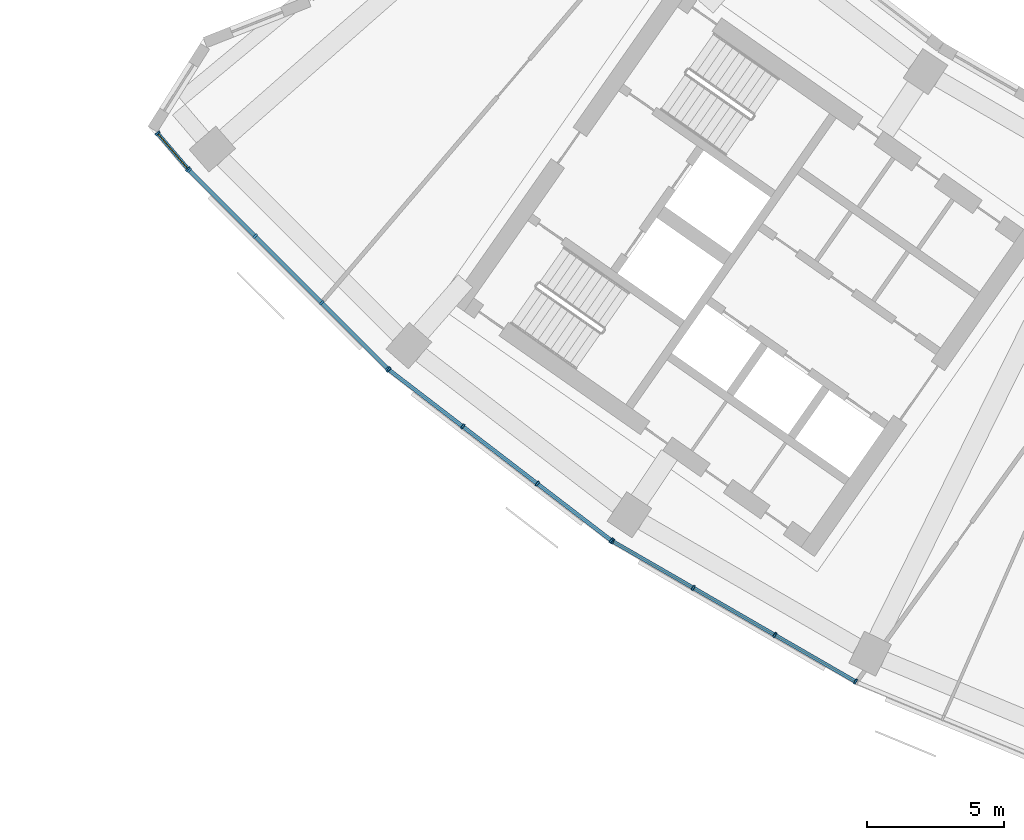
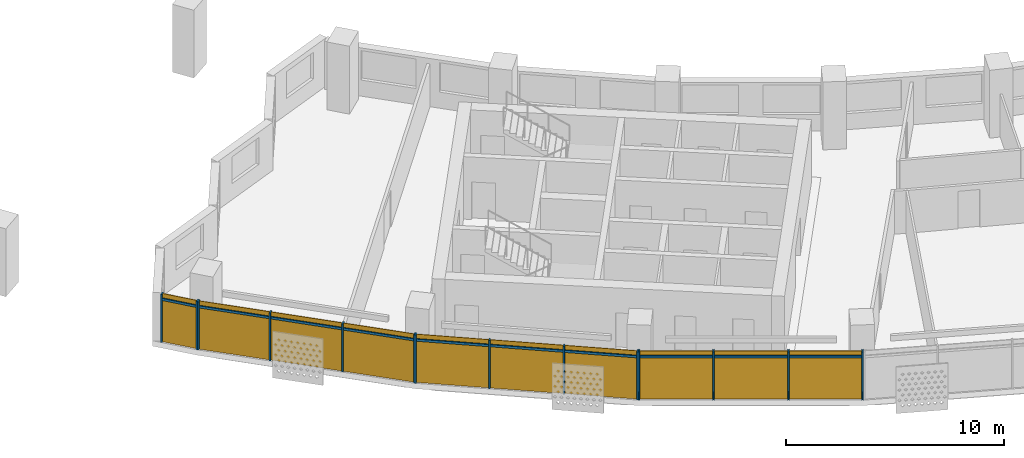
# One storey, part 17 of 26: 24 members, 4 curtain walls.
"""IFC4 building model written with IfcOpenShell, lengths in metres."""

import ifcopenshell
import ifcopenshell.guid

model = None  # the IFC model being written
_history = None  # IfcOwnerHistory: only IFC2X3 demands one
_inside = {}  # id of a spatial element -> (the spatial element, [elements in it])
_under = {}  # id of a project, library or spatial element -> (it, [spatial elements below it])
_declared = {}  # id of a project -> (the project, [libraries it declares])
_typed = {}  # id of a type object -> (the type object, [elements of that type])
_made_of = {}  # id of a material, layer set ... -> (it, [elements and type objects made of it])


def new_model(schema):
    """Start an empty IFC model of exactly this schema.

    Asked for "IFC4X3", IfcOpenShell would pick the latest addendum, in which some entities
    have other attributes; the version numbers below select the first issue.
    IFC2X3 requires an IfcOwnerHistory on every rooted entity: one is made here for all.
    """
    global model, _history
    if schema == "IFC4X3":
        model = ifcopenshell.file(schema_version=(4, 3, 0, 0))
    else:
        model = ifcopenshell.file(schema=schema)
    _inside.clear()
    _under.clear()
    _declared.clear()
    _typed.clear()
    _made_of.clear()
    _history = None
    if model.schema == "IFC2X3":
        org = make("IfcOrganization", Name="unknown")
        user = make(
            "IfcPersonAndOrganization",
            ThePerson=make("IfcPerson", FamilyName="unknown"),
            TheOrganization=org,
        )
        app = make(
            "IfcApplication",
            ApplicationDeveloper=org,
            Version="unknown",
            ApplicationFullName="unknown",
            ApplicationIdentifier="unknown",
        )
        _history = make(
            "IfcOwnerHistory",
            OwningUser=user,
            OwningApplication=app,
            ChangeAction="ADDED",
            CreationDate=0,
        )
    return model


def make(cls, **values):
    """One entity of the class cls with the attributes given. An attribute that is None is left unset."""
    return model.create_entity(
        cls, **{name: value for name, value in values.items() if value is not None}
    )


def rooted(cls, **values):
    """An entity with a GlobalId (a new one), such as an element, a storey or a relation."""
    return make(cls, GlobalId=ifcopenshell.guid.new(), OwnerHistory=_history, **values)


def si_unit(unit_type, name, prefix=None):
    """IfcSIUnit, for example si_unit("LENGTHUNIT", "METRE", prefix="MILLI")."""
    return make("IfcSIUnit", UnitType=unit_type, Prefix=prefix, Name=name)


def assignment(units):
    """IfcUnitAssignment: the units of a project."""
    return None if units is None else make("IfcUnitAssignment", Units=units)


def point(xyz):
    """IfcCartesianPoint."""
    return None if xyz is None else make("IfcCartesianPoint", Coordinates=xyz)


def direction(xyz):
    """IfcDirection."""
    return None if xyz is None else make("IfcDirection", DirectionRatios=xyz)


def frame(location, z_axis=None, x_axis=None):
    """IfcAxis2Placement3D, a coordinate frame: its origin and axes. An axis left out is left unset."""
    return make(
        "IfcAxis2Placement3D",
        Location=point(location),
        Axis=direction(z_axis),
        RefDirection=direction(x_axis),
    )


def frame_2d(location, x_axis=None):
    """IfcAxis2Placement2D, a coordinate frame in the plane: its origin and x axis."""
    return make(
        "IfcAxis2Placement2D", Location=point(location), RefDirection=direction(x_axis)
    )


def origin():
    """The frame at (0, 0, 0) with its axes left unset."""
    return frame((0.0, 0.0, 0.0))


def origin_2d():
    """The frame at (0, 0) in the plane with its x axis left unset."""
    return frame_2d((0.0, 0.0))


def place(relative_to, where):
    """IfcLocalPlacement: puts the frame where relative to a parent placement (None: the world)."""
    return make(
        "IfcLocalPlacement", PlacementRelTo=relative_to, RelativePlacement=where
    )


def context(
    kind, dimensions, precision=None, world=None, true_north=None, identifier=None
):
    """IfcGeometricRepresentationContext, for example the 3D "Model" context."""
    return make(
        "IfcGeometricRepresentationContext",
        ContextIdentifier=identifier,
        ContextType=kind,
        CoordinateSpaceDimension=dimensions,
        Precision=precision,
        WorldCoordinateSystem=world,
        TrueNorth=true_north,
    )


def subcontext(parent, identifier, kind, view, scale=None):
    """IfcGeometricRepresentationSubContext, for example "Body" below "Model"."""
    return make(
        "IfcGeometricRepresentationSubContext",
        ContextIdentifier=identifier,
        ContextType=kind,
        ParentContext=parent,
        TargetScale=scale,
        TargetView=view,
    )


def project(units=None, contexts=None):
    """IfcProject with its units and contexts."""
    return rooted(
        "IfcProject",
        Name="project",
        RepresentationContexts=contexts,
        UnitsInContext=assignment(units),
    )


def spatial(cls, under=None, at=None, **own):
    """A site, building, storey or space (cls), placed at a placement, below another one or the project."""
    s = rooted(cls, ObjectPlacement=at, **own)
    if under is not None:
        _under.setdefault(under.id(), (under, []))[1].append(s)
    return s


def profile(cls, at=None, kind="AREA", **sizes):
    """A parametric profile (cls). Its sizes go by their IFC names, for example OverallWidth=200.0."""
    return make(cls, ProfileType=kind, Position=at, **sizes)


def rectangle(**sizes):
    """IfcRectangleProfileDef."""
    return profile("IfcRectangleProfileDef", **sizes)


def extrude(swept, where, along, depth):
    """IfcExtrudedAreaSolid: the profile swept, set in the frame where, extruded along a direction by depth."""
    return make(
        "IfcExtrudedAreaSolid",
        SweptArea=swept,
        Position=where,
        ExtrudedDirection=direction(along),
        Depth=depth,
    )


def shape(context_of_items, identifier, shape_type, items):
    """IfcShapeRepresentation: the items that make up one representation, for example the "Body"."""
    return make(
        "IfcShapeRepresentation",
        ContextOfItems=context_of_items,
        RepresentationIdentifier=identifier,
        RepresentationType=shape_type,
        Items=items,
    )


def material(Name=None, Category=None):
    """IfcMaterial."""
    return make("IfcMaterial", Name=Name, Category=Category)


def material_profile(
    of_material, cross_section, Name=None, Category=None, Priority=None
):
    """IfcMaterialProfile: a cross section and its material."""
    return make(
        "IfcMaterialProfile",
        Name=Name,
        Material=of_material,
        Profile=cross_section,
        Priority=Priority,
        Category=Category,
    )


def profile_set(profiles, Name=None, composite=None):
    """IfcMaterialProfileSet."""
    return make(
        "IfcMaterialProfileSet",
        Name=Name,
        MaterialProfiles=profiles,
        CompositeProfile=composite,
    )


def made_of(thing, what):
    """Note that an element or type object is made of a material, layer set ...; save() writes the relation."""
    if what is not None:
        _made_of.setdefault(what.id(), (what, []))[1].append(thing)
    return thing


def type_object(cls, material=None, **own):
    """A type object (cls), such as IfcWallType, which elements share."""
    return made_of(rooted(cls, **own), material)


def element(
    cls,
    number,
    at=None,
    inside=None,
    cuts=None,
    type_object=None,
    material=None,
    context=None,
    identifier="Body",
    shape_type=None,
    held_by="IfcProductDefinitionShape",
    body=None,
    shapes=None,
    **own,
):
    """One element of the class cls, such as IfcWall. Its Tag is "e" and its number.

    at: its placement. inside: the storey or other place that contains it. cuts: it is an
    opening in that element (IfcRelVoidsElement). A single representation is given by context,
    identifier, shape_type and body (its items); several are given by shapes. held_by: the class
    of the entity that holds the representations. save() writes the other relations.
    """
    e = rooted(cls, Tag="e%d" % number, ObjectPlacement=at, **own)
    if body is not None:
        shapes = [shape(context, identifier, shape_type, body)]
    if shapes is not None:
        e.Representation = make(held_by, Representations=shapes)
    if inside is not None:
        _inside.setdefault(inside.id(), (inside, []))[1].append(e)
    if cuts is not None:
        rooted(
            "IfcRelVoidsElement", RelatingBuildingElement=cuts, RelatedOpeningElement=e
        )
    if type_object is not None:
        _typed.setdefault(type_object.id(), (type_object, []))[1].append(e)
    return made_of(e, material)


def aggregate(whole, parts):
    """IfcRelAggregates: a whole, such as a stair, and the parts it consists of."""
    return rooted("IfcRelAggregates", RelatingObject=whole, RelatedObjects=parts)


def save(model, path):
    """Write the relations noted so far, then the file.

    IfcRelAggregates (storeys below a building ...), IfcRelContainedInSpatialStructure (elements
    in a storey), IfcRelDefinesByType, IfcRelAssociatesMaterial and IfcRelDeclares: one each for
    every whole, place, type object, material and project.
    """
    for whole, parts in _under.values():
        aggregate(whole, parts)
    for where, things in _inside.values():
        rooted(
            "IfcRelContainedInSpatialStructure",
            RelatedElements=things,
            RelatingStructure=where,
        )
    for kind, things in _typed.values():
        rooted("IfcRelDefinesByType", RelatedObjects=things, RelatingType=kind)
    for what, things in _made_of.values():
        rooted("IfcRelAssociatesMaterial", RelatedObjects=things, RelatingMaterial=what)
    for by, libraries in _declared.values():
        rooted("IfcRelDeclares", RelatingContext=by, RelatedDefinitions=libraries)
    model.write(path)


model = new_model("IFC4")

# Units and contexts
model_context = context("Model", 3, precision=1e-05, world=origin(), true_north=direction((0.0, 1.0)))
body_context = subcontext(model_context, "Body", "Model", "MODEL_VIEW")
ifc_project = project(units=[si_unit("LENGTHUNIT", "METRE"), si_unit("AREAUNIT", "SQUARE_METRE"), si_unit("VOLUMEUNIT", "CUBIC_METRE"), si_unit("PLANEANGLEUNIT", "RADIAN"), si_unit("MASSUNIT", "GRAM", prefix="KILO")], contexts=[model_context])

# Member
ifc_material = material(Name="Aluminium 6063-T6 anodised", Category="aluminium")
ifc_material_profile_1 = material_profile(ifc_material, rectangle(XDim=0.199951171875, YDim=0.070068359375, at=origin_2d()))
ifc_profile_set_1 = profile_set([ifc_material_profile_1], Name="Aluminium 6063-T6 anodised")
member_type_1 = type_object("IfcMemberType", Name="Mullion 70 x 200 aluminium", PredefinedType="MULLION", material=ifc_profile_set_1)
site_placement = place(None, origin())
building_placement = place(site_placement, origin())
storey_placement = place(building_placement, frame((0.0, 0.0, 160.699951171875)))
member_1_placement = place(storey_placement, frame((-60.459716796875, -50.686279296875, 0.0), z_axis=(0.0, 0.0, 1.0), x_axis=(0.760854442079, 0.648922582416, 0.0)))
member_1 = element("IfcMember", 1, at=member_1_placement, type_object=member_type_1, Name="e-cw1-L37-out00/M00", PredefinedType="MULLION", context=body_context, shape_type="SweptSolid", body=[
    extrude(rectangle(XDim=0.199951171875, YDim=0.070068359375, at=origin_2d()), origin(), (0.0, 0.0, 1.0), 2.699951171875),
])

member_2_placement = place(storey_placement, frame((-59.342041015625, -51.996826171875, 0.0), z_axis=(0.0, 0.0, 1.0), x_axis=(0.760854442079, 0.648922582416, 0.0)))
member_2 = element("IfcMember", 2, at=member_2_placement, type_object=member_type_1, Name="e-cw1-L37-out00/M01", PredefinedType="MULLION", context=body_context, shape_type="SweptSolid", body=[
    extrude(rectangle(XDim=0.199951171875, YDim=0.070068359375, at=origin_2d()), origin(), (0.0, 0.0, 1.0), 2.699951171875),
])

member_3_placement = place(storey_placement, frame((-59.2998046875, -52.042236328125, 0.0), z_axis=(0.0, 0.0, 1.0), x_axis=(0.707106781187, 0.707106781187, 0.0)))
member_3 = element("IfcMember", 3, at=member_3_placement, type_object=member_type_1, Name="e-cw1-L37-out01/M00", PredefinedType="MULLION", context=body_context, shape_type="SweptSolid", body=[
    extrude(rectangle(XDim=0.199951171875, YDim=0.070068359375, at=origin_2d()), origin(), (0.0, 0.0, 1.0), 2.699951171875),
])

member_4_placement = place(storey_placement, frame((-56.888916015625, -54.453369140625, 0.0), z_axis=(0.0, 0.0, 1.0), x_axis=(0.707106781187, 0.707106781187, 0.0)))
member_4 = element("IfcMember", 4, at=member_4_placement, type_object=member_type_1, Name="e-cw1-L37-out01/M01", PredefinedType="MULLION", context=body_context, shape_type="SweptSolid", body=[
    extrude(rectangle(XDim=0.199951171875, YDim=0.070068359375, at=origin_2d()), origin(), (0.0, 0.0, 1.0), 2.699951171875),
])

member_5_placement = place(storey_placement, frame((-54.453369140625, -56.888916015625, 0.0), z_axis=(0.0, 0.0, 1.0), x_axis=(0.707106781187, 0.707106781187, 0.0)))
member_5 = element("IfcMember", 5, at=member_5_placement, type_object=member_type_1, Name="e-cw1-L37-out01/M02", PredefinedType="MULLION", context=body_context, shape_type="SweptSolid", body=[
    extrude(rectangle(XDim=0.199951171875, YDim=0.070068359375, at=origin_2d()), origin(), (0.0, 0.0, 1.0), 2.699951171875),
])

member_6_placement = place(storey_placement, frame((-52.042236328125, -59.2998046875, 0.0), z_axis=(0.0, 0.0, 1.0), x_axis=(0.707106781187, 0.707106781187, 0.0)))
member_6 = element("IfcMember", 6, at=member_6_placement, type_object=member_type_1, Name="e-cw1-L37-out01/M03", PredefinedType="MULLION", context=body_context, shape_type="SweptSolid", body=[
    extrude(rectangle(XDim=0.199951171875, YDim=0.070068359375, at=origin_2d()), origin(), (0.0, 0.0, 1.0), 2.699951171875),
])

member_7_placement = place(storey_placement, frame((-51.999755859375, -59.33740234375, 0.0), z_axis=(0.0, 0.0, 1.0), x_axis=(0.608761429009, 0.793353340291, 0.0)))
member_7 = element("IfcMember", 7, at=member_7_placement, type_object=member_type_1, Name="e-cw1-L37-out02/M00", PredefinedType="MULLION", context=body_context, shape_type="SweptSolid", body=[
    extrude(rectangle(XDim=0.199951171875, YDim=0.070068359375, at=origin_2d()), origin(), (0.0, 0.0, 1.0), 2.699951171875),
])

member_8_placement = place(storey_placement, frame((-49.294677734375, -61.412841796875, 0.0), z_axis=(0.0, 0.0, 1.0), x_axis=(0.608761429009, 0.793353340291, 0.0)))
member_8 = element("IfcMember", 8, at=member_8_placement, type_object=member_type_1, Name="e-cw1-L37-out02/M01", PredefinedType="MULLION", context=body_context, shape_type="SweptSolid", body=[
    extrude(rectangle(XDim=0.199951171875, YDim=0.070068359375, at=origin_2d()), origin(), (0.0, 0.0, 1.0), 2.699951171875),
])

member_9_placement = place(storey_placement, frame((-46.56201171875, -63.509765625, 0.0), z_axis=(0.0, 0.0, 1.0), x_axis=(0.608761429009, 0.793353340291, 0.0)))
member_9 = element("IfcMember", 9, at=member_9_placement, type_object=member_type_1, Name="e-cw1-L37-out02/M02", PredefinedType="MULLION", context=body_context, shape_type="SweptSolid", body=[
    extrude(rectangle(XDim=0.199951171875, YDim=0.070068359375, at=origin_2d()), origin(), (0.0, 0.0, 1.0), 2.699951171875),
])

member_10_placement = place(storey_placement, frame((-43.85693359375, -65.58544921875, 0.0), z_axis=(0.0, 0.0, 1.0), x_axis=(0.608761429009, 0.793353340291, 0.0)))
member_10 = element("IfcMember", 10, at=member_10_placement, type_object=member_type_1, Name="e-cw1-L37-out02/M03", PredefinedType="MULLION", context=body_context, shape_type="SweptSolid", body=[
    extrude(rectangle(XDim=0.199951171875, YDim=0.070068359375, at=origin_2d()), origin(), (0.0, 0.0, 1.0), 2.699951171875),
])

member_11_placement = place(storey_placement, frame((-43.809814453125, -65.616943359375, 0.0), z_axis=(0.0, 0.0, 1.0), x_axis=(0.5, 0.866025403784, 0.0)))
member_11 = element("IfcMember", 11, at=member_11_placement, type_object=member_type_1, Name="e-cw1-L37-out03/M00", PredefinedType="MULLION", context=body_context, shape_type="SweptSolid", body=[
    extrude(rectangle(XDim=0.199951171875, YDim=0.070068359375, at=origin_2d()), origin(), (0.0, 0.0, 1.0), 2.699951171875),
])

member_12_placement = place(storey_placement, frame((-40.85693359375, -67.32177734375, 0.0), z_axis=(0.0, 0.0, 1.0), x_axis=(0.5, 0.866025403784, 0.0)))
member_12 = element("IfcMember", 12, at=member_12_placement, type_object=member_type_1, Name="e-cw1-L37-out03/M01", PredefinedType="MULLION", context=body_context, shape_type="SweptSolid", body=[
    extrude(rectangle(XDim=0.199951171875, YDim=0.070068359375, at=origin_2d()), origin(), (0.0, 0.0, 1.0), 2.699951171875),
])

member_13_placement = place(storey_placement, frame((-37.873779296875, -69.0439453125, 0.0), z_axis=(0.0, 0.0, 1.0), x_axis=(0.5, 0.866025403784, 0.0)))
member_13 = element("IfcMember", 13, at=member_13_placement, type_object=member_type_1, Name="e-cw1-L37-out03/M02", PredefinedType="MULLION", context=body_context, shape_type="SweptSolid", body=[
    extrude(rectangle(XDim=0.199951171875, YDim=0.070068359375, at=origin_2d()), origin(), (0.0, 0.0, 1.0), 2.699951171875),
])

member_14_placement = place(storey_placement, frame((-34.921142578125, -70.748779296875, 0.0), z_axis=(0.0, 0.0, 1.0), x_axis=(0.5, 0.866025403784, 0.0)))
member_14 = element("IfcMember", 14, at=member_14_placement, type_object=member_type_1, Name="e-cw1-L37-out03/M03", PredefinedType="MULLION", context=body_context, shape_type="SweptSolid", body=[
    extrude(rectangle(XDim=0.199951171875, YDim=0.070068359375, at=origin_2d()), origin(), (0.0, 0.0, 1.0), 2.699951171875),
])

ifc_material_profile_2 = material_profile(ifc_material, rectangle(XDim=0.139892578125, YDim=0.1201171875, at=origin_2d()))
ifc_profile_set_2 = profile_set([ifc_material_profile_2], Name="Aluminium 6063-T6 anodised")
member_type_2 = type_object("IfcMemberType", Name="Transom 120 x 140 aluminium", PredefinedType="USERDEFINED", material=ifc_profile_set_2)
member_15_placement = place(storey_placement, frame((-60.43701171875, -50.712890625, 2.400146484375), z_axis=(0.648891265134, -0.760881151056, 0.0), x_axis=(0.760881151056, 0.648891265134, 0.0)))
member_15 = element("IfcMember", 15, at=member_15_placement, type_object=member_type_2, Name="e-cw1-L37-out00/T00", ObjectType="TRANSOM", PredefinedType="USERDEFINED", context=body_context, shape_type="SweptSolid", body=[
    extrude(rectangle(XDim=0.139892578125, YDim=0.1201171875, at=origin_2d()), origin(), (0.0, 0.0, 1.0), 1.65234375),
])

member_16_placement = place(storey_placement, frame((-59.275146484375, -52.067138671875, 2.400146484375), z_axis=(0.707106781187, -0.707106781187, 0.0), x_axis=(0.707106781187, 0.707106781187, 0.0)))
member_16 = element("IfcMember", 16, at=member_16_placement, type_object=member_type_2, Name="e-cw1-L37-out01/T00", ObjectType="TRANSOM", PredefinedType="USERDEFINED", context=body_context, shape_type="SweptSolid", body=[
    extrude(rectangle(XDim=0.139892578125, YDim=0.1201171875, at=origin_2d()), origin(), (0.0, 0.0, 1.0), 3.33935546875),
])

member_17_placement = place(storey_placement, frame((-56.8642578125, -54.47802734375, 2.400146484375), z_axis=(0.707106781187, -0.707106781187, 0.0), x_axis=(0.707106781187, 0.707106781187, 0.0)))
member_17 = element("IfcMember", 17, at=member_17_placement, type_object=member_type_2, Name="e-cw1-L37-out01/T01", ObjectType="TRANSOM", PredefinedType="USERDEFINED", context=body_context, shape_type="SweptSolid", body=[
    extrude(rectangle(XDim=0.139892578125, YDim=0.1201171875, at=origin_2d()), origin(), (0.0, 0.0, 1.0), 3.374755859375),
])

member_18_placement = place(storey_placement, frame((-54.428466796875, -56.913818359375, 2.400146484375), z_axis=(0.707106781187, -0.707106781187, 0.0), x_axis=(0.707106781187, 0.707106781187, 0.0)))
member_18 = element("IfcMember", 18, at=member_18_placement, type_object=member_type_2, Name="e-cw1-L37-out01/T02", ObjectType="TRANSOM", PredefinedType="USERDEFINED", context=body_context, shape_type="SweptSolid", body=[
    extrude(rectangle(XDim=0.139892578125, YDim=0.1201171875, at=origin_2d()), origin(), (0.0, 0.0, 1.0), 3.33935546875),
])

member_19_placement = place(storey_placement, frame((-51.971923828125, -59.358642578125, 2.400146484375), z_axis=(0.793354486861, -0.608759934767, 0.0), x_axis=(0.608759934767, 0.793354486861, 0.0)))
member_19 = element("IfcMember", 19, at=member_19_placement, type_object=member_type_2, Name="e-cw1-L37-out02/T00", ObjectType="TRANSOM", PredefinedType="USERDEFINED", context=body_context, shape_type="SweptSolid", body=[
    extrude(rectangle(XDim=0.139892578125, YDim=0.1201171875, at=origin_2d()), origin(), (0.0, 0.0, 1.0), 3.339599609375),
])

member_20_placement = place(storey_placement, frame((-49.266845703125, -61.434326171875, 2.400146484375), z_axis=(0.793371081522, -0.608738307489, 0.0), x_axis=(0.608738307489, 0.793371081522, 0.0)))
member_20 = element("IfcMember", 20, at=member_20_placement, type_object=member_type_2, Name="e-cw1-L37-out02/T01", ObjectType="TRANSOM", PredefinedType="USERDEFINED", context=body_context, shape_type="SweptSolid", body=[
    extrude(rectangle(XDim=0.139892578125, YDim=0.1201171875, at=origin_2d()), origin(), (0.0, 0.0, 1.0), 3.37451171875),
])

member_21_placement = place(storey_placement, frame((-46.5341796875, -63.53125, 2.400146484375), z_axis=(0.793354486861, -0.608759934767, 0.0), x_axis=(0.608759934767, 0.793354486861, 0.0)))
member_21 = element("IfcMember", 21, at=member_21_placement, type_object=member_type_2, Name="e-cw1-L37-out02/T02", ObjectType="TRANSOM", PredefinedType="USERDEFINED", context=body_context, shape_type="SweptSolid", body=[
    extrude(rectangle(XDim=0.139892578125, YDim=0.1201171875, at=origin_2d()), origin(), (0.0, 0.0, 1.0), 3.339599609375),
])

member_22_placement = place(storey_placement, frame((-43.779541015625, -65.634521484375, 2.400146484375), z_axis=(0.866052898888, -0.49995237406, 0.0), x_axis=(0.49995237406, 0.866052898888, 0.0)))
member_22 = element("IfcMember", 22, at=member_22_placement, type_object=member_type_2, Name="e-cw1-L37-out03/T00", ObjectType="TRANSOM", PredefinedType="USERDEFINED", context=body_context, shape_type="SweptSolid", body=[
    extrude(rectangle(XDim=0.139892578125, YDim=0.1201171875, at=origin_2d()), origin(), (0.0, 0.0, 1.0), 3.339599609375),
])

member_23_placement = place(storey_placement, frame((-40.82666015625, -67.33935546875, 2.400146484375), z_axis=(0.86602172966, -0.500006363716, 0.0), x_axis=(0.500006363716, 0.86602172966, 0.0)))
member_23 = element("IfcMember", 23, at=member_23_placement, type_object=member_type_2, Name="e-cw1-L37-out03/T01", ObjectType="TRANSOM", PredefinedType="USERDEFINED", context=body_context, shape_type="SweptSolid", body=[
    extrude(rectangle(XDim=0.139892578125, YDim=0.1201171875, at=origin_2d()), origin(), (0.0, 0.0, 1.0), 3.37451171875),
])

member_24_placement = place(storey_placement, frame((-37.843505859375, -69.0615234375, 2.400146484375), z_axis=(0.866002968352, -0.500038857296, 0.0), x_axis=(0.500038857296, 0.866002968352, 0.0)))
member_24 = element("IfcMember", 24, at=member_24_placement, type_object=member_type_2, Name="e-cw1-L37-out03/T02", ObjectType="TRANSOM", PredefinedType="USERDEFINED", context=body_context, shape_type="SweptSolid", body=[
    extrude(rectangle(XDim=0.139892578125, YDim=0.1201171875, at=origin_2d()), origin(), (0.0, 0.0, 1.0), 3.339599609375),
])

# Site, building, storey
site = spatial("IfcSite", under=ifc_project, at=site_placement, CompositionType="ELEMENT")
building = spatial("IfcBuilding", under=site, at=building_placement, Name="Qamariyya Broadcast Tower", CompositionType="ELEMENT")
storey = spatial("IfcBuildingStorey", under=building, at=storey_placement, Name="L37", CompositionType="ELEMENT", Elevation=160.699951171875)

# Curtain wall
curtain_wall_type = type_object("IfcCurtainWallType", Name="Unitised curtain wall, anodised aluminium", PredefinedType="NOTDEFINED", material=ifc_material)
curtain_wall_1_placement = place(storey_placement, origin())
curtain_wall_1 = element("IfcCurtainWall", 25, at=curtain_wall_1_placement, inside=storey, type_object=curtain_wall_type, Name="e-cw1-L37-out00", PredefinedType="NOTDEFINED", context=body_context, shape_type="SweptSolid", body=[
    extrude(rectangle(XDim=1.65234375, YDim=0.031982421875, at=origin_2d()), frame((-59.90087890625, -51.341552734375, 0.0), x_axis=(0.648904862205, -0.760869555053, 0.0)), (0.0, 0.0, 1.0), 2.340087890625),
    extrude(rectangle(XDim=1.65234375, YDim=0.031982421875, at=origin_2d()), frame((-59.90087890625, -51.341552734375, 2.4599609375), x_axis=(0.648904862205, -0.760869555053, 0.0)), (0.0, 0.0, 1.0), 0.239990234375),
])

aggregate(curtain_wall_1, [member_1, member_2, member_15])

curtain_wall_2_placement = place(storey_placement, origin())
curtain_wall_2 = element("IfcCurtainWall", 26, at=curtain_wall_2_placement, inside=storey, type_object=curtain_wall_type, Name="e-cw1-L37-out01", PredefinedType="NOTDEFINED", context=body_context, shape_type="SweptSolid", body=[
    extrude(rectangle(XDim=3.339599609375, YDim=0.031982421875, at=origin_2d()), frame((-58.094482421875, -53.247802734375, 0.0), x_axis=(0.707106781187, -0.707106781187, 0.0)), (0.0, 0.0, 1.0), 2.340087890625),
    extrude(rectangle(XDim=3.339599609375, YDim=0.031982421875, at=origin_2d()), frame((-58.094482421875, -53.247802734375, 2.4599609375), x_axis=(0.707106781187, -0.707106781187, 0.0)), (0.0, 0.0, 1.0), 0.239990234375),
    extrude(rectangle(XDim=3.37451171875, YDim=0.031982421875, at=origin_2d()), frame((-55.671142578125, -55.671142578125, 0.0), x_axis=(0.707106781187, -0.707106781187, 0.0)), (0.0, 0.0, 1.0), 2.340087890625),
    extrude(rectangle(XDim=3.37451171875, YDim=0.031982421875, at=origin_2d()), frame((-55.671142578125, -55.671142578125, 2.4599609375), x_axis=(0.707106781187, -0.707106781187, 0.0)), (0.0, 0.0, 1.0), 0.239990234375),
    extrude(rectangle(XDim=3.339599609375, YDim=0.031982421875, at=origin_2d()), frame((-53.247802734375, -58.094482421875, 0.0), x_axis=(0.707106781187, -0.707106781187, 0.0)), (0.0, 0.0, 1.0), 2.340087890625),
    extrude(rectangle(XDim=3.339599609375, YDim=0.031982421875, at=origin_2d()), frame((-53.247802734375, -58.094482421875, 2.4599609375), x_axis=(0.707106781187, -0.707106781187, 0.0)), (0.0, 0.0, 1.0), 0.239990234375),
])

aggregate(curtain_wall_2, [member_3, member_4, member_5, member_6, member_16, member_17, member_18])

curtain_wall_3_placement = place(storey_placement, origin())
curtain_wall_3 = element("IfcCurtainWall", 27, at=curtain_wall_3_placement, inside=storey, type_object=curtain_wall_type, Name="e-cw1-L37-out02", PredefinedType="NOTDEFINED", context=body_context, shape_type="SweptSolid", body=[
    extrude(rectangle(XDim=3.339599609375, YDim=0.031982421875, at=origin_2d()), frame((-50.64697265625, -60.375, 0.0), x_axis=(0.793351517557, -0.608763804434, 0.0)), (0.0, 0.0, 1.0), 2.340087890625),
    extrude(rectangle(XDim=3.339599609375, YDim=0.031982421875, at=origin_2d()), frame((-50.64697265625, -60.375, 2.4599609375), x_axis=(0.793351517557, -0.608763804434, 0.0)), (0.0, 0.0, 1.0), 0.239990234375),
    extrude(rectangle(XDim=3.37451171875, YDim=0.031982421875, at=origin_2d()), frame((-47.92822265625, -62.46142578125, 0.0), x_axis=(0.793351517557, -0.608763804434, 0.0)), (0.0, 0.0, 1.0), 2.340087890625),
    extrude(rectangle(XDim=3.37451171875, YDim=0.031982421875, at=origin_2d()), frame((-47.92822265625, -62.46142578125, 2.4599609375), x_axis=(0.793351517557, -0.608763804434, 0.0)), (0.0, 0.0, 1.0), 0.239990234375),
    extrude(rectangle(XDim=3.339599609375, YDim=0.031982421875, at=origin_2d()), frame((-45.20947265625, -64.547607421875, 0.0), x_axis=(0.793351517557, -0.608763804434, 0.0)), (0.0, 0.0, 1.0), 2.340087890625),
    extrude(rectangle(XDim=3.339599609375, YDim=0.031982421875, at=origin_2d()), frame((-45.20947265625, -64.547607421875, 2.4599609375), x_axis=(0.793351517557, -0.608763804434, 0.0)), (0.0, 0.0, 1.0), 0.239990234375),
])

aggregate(curtain_wall_3, [member_7, member_8, member_9, member_10, member_19, member_20, member_21])

curtain_wall_4_placement = place(storey_placement, origin())
curtain_wall_4 = element("IfcCurtainWall", 28, at=curtain_wall_4_placement, inside=storey, type_object=curtain_wall_type, Name="e-cw1-L37-out03", PredefinedType="NOTDEFINED", context=body_context, shape_type="SweptSolid", body=[
    extrude(rectangle(XDim=3.339599609375, YDim=0.031982421875, at=origin_2d()), frame((-42.33349609375, -66.469482421875, 0.0), x_axis=(0.866028999376, -0.499993772201, 0.0)), (0.0, 0.0, 1.0), 2.340087890625),
    extrude(rectangle(XDim=3.339599609375, YDim=0.031982421875, at=origin_2d()), frame((-42.33349609375, -66.469482421875, 2.4599609375), x_axis=(0.866028999376, -0.499993772201, 0.0)), (0.0, 0.0, 1.0), 0.239990234375),
    extrude(rectangle(XDim=3.37451171875, YDim=0.031982421875, at=origin_2d()), frame((-39.365478515625, -68.18310546875, 0.0), x_axis=(0.866028999376, -0.499993772201, 0.0)), (0.0, 0.0, 1.0), 2.340087890625),
    extrude(rectangle(XDim=3.37451171875, YDim=0.031982421875, at=origin_2d()), frame((-39.365478515625, -68.18310546875, 2.4599609375), x_axis=(0.866028999376, -0.499993772201, 0.0)), (0.0, 0.0, 1.0), 0.239990234375),
    extrude(rectangle(XDim=3.339599609375, YDim=0.031982421875, at=origin_2d()), frame((-36.3974609375, -69.896484375, 0.0), x_axis=(0.866028999376, -0.499993772201, 0.0)), (0.0, 0.0, 1.0), 2.340087890625),
    extrude(rectangle(XDim=3.339599609375, YDim=0.031982421875, at=origin_2d()), frame((-36.3974609375, -69.896484375, 2.4599609375), x_axis=(0.866028999376, -0.499993772201, 0.0)), (0.0, 0.0, 1.0), 0.239990234375),
])

aggregate(curtain_wall_4, [member_11, member_12, member_13, member_14, member_22, member_23, member_24])

save(model, "model.ifc")
